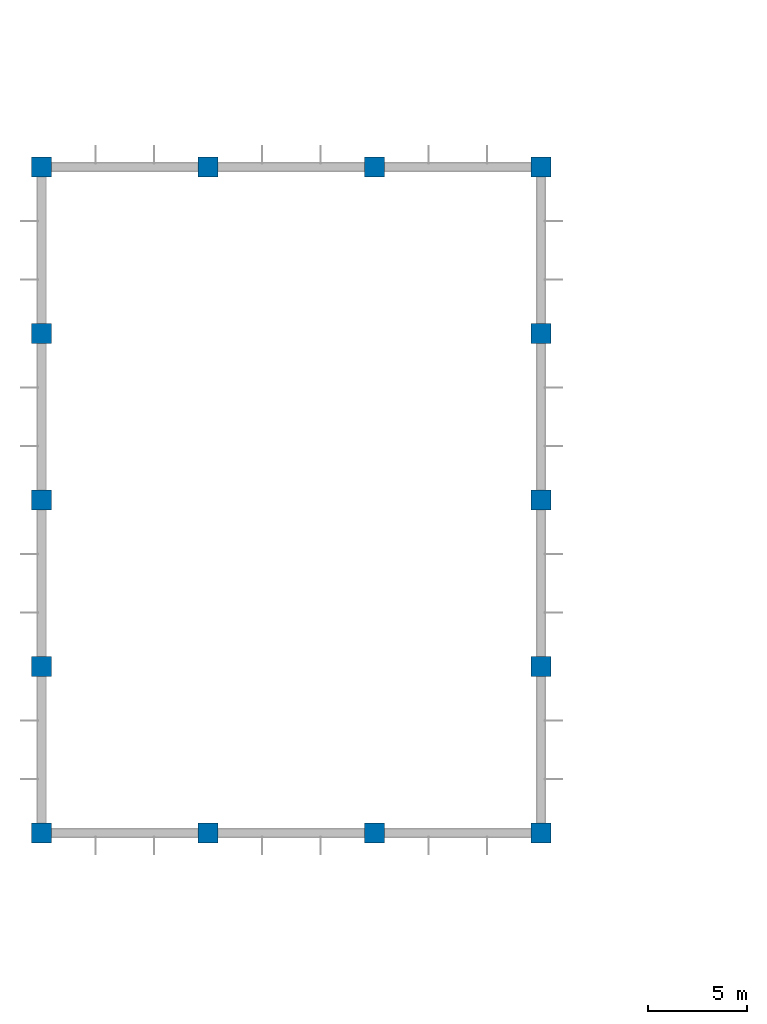
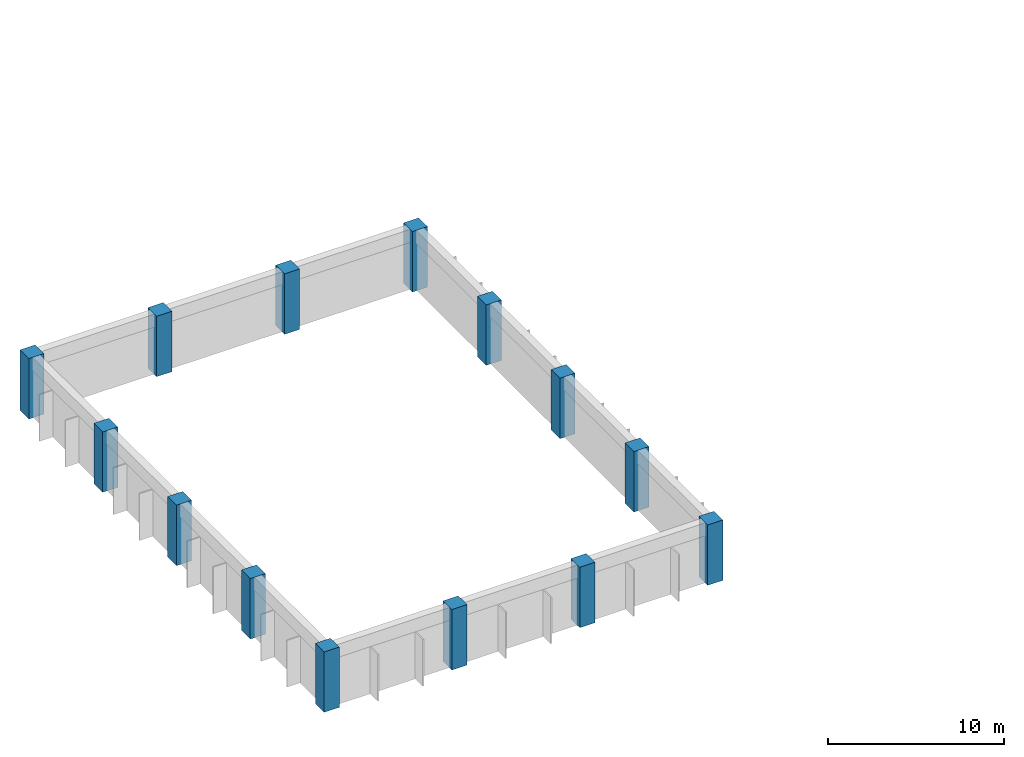
# One storey, part 1 of 18: 14 columns.
"""IFC4 building model written with IfcOpenShell, lengths in metres."""

import ifcopenshell
import ifcopenshell.guid

model = None  # the IFC model being written
_history = None  # IfcOwnerHistory: only IFC2X3 demands one
_inside = {}  # id of a spatial element -> (the spatial element, [elements in it])
_under = {}  # id of a project, library or spatial element -> (it, [spatial elements below it])
_declared = {}  # id of a project -> (the project, [libraries it declares])
_typed = {}  # id of a type object -> (the type object, [elements of that type])
_made_of = {}  # id of a material, layer set ... -> (it, [elements and type objects made of it])


def new_model(schema):
    """Start an empty IFC model of exactly this schema.

    Asked for "IFC4X3", IfcOpenShell would pick the latest addendum, in which some entities
    have other attributes; the version numbers below select the first issue.
    IFC2X3 requires an IfcOwnerHistory on every rooted entity: one is made here for all.
    """
    global model, _history
    if schema == "IFC4X3":
        model = ifcopenshell.file(schema_version=(4, 3, 0, 0))
    else:
        model = ifcopenshell.file(schema=schema)
    _inside.clear()
    _under.clear()
    _declared.clear()
    _typed.clear()
    _made_of.clear()
    _history = None
    if model.schema == "IFC2X3":
        org = make("IfcOrganization", Name="unknown")
        user = make(
            "IfcPersonAndOrganization",
            ThePerson=make("IfcPerson", FamilyName="unknown"),
            TheOrganization=org,
        )
        app = make(
            "IfcApplication",
            ApplicationDeveloper=org,
            Version="unknown",
            ApplicationFullName="unknown",
            ApplicationIdentifier="unknown",
        )
        _history = make(
            "IfcOwnerHistory",
            OwningUser=user,
            OwningApplication=app,
            ChangeAction="ADDED",
            CreationDate=0,
        )
    return model


def make(cls, **values):
    """One entity of the class cls with the attributes given. An attribute that is None is left unset."""
    return model.create_entity(
        cls, **{name: value for name, value in values.items() if value is not None}
    )


def rooted(cls, **values):
    """An entity with a GlobalId (a new one), such as an element, a storey or a relation."""
    return make(cls, GlobalId=ifcopenshell.guid.new(), OwnerHistory=_history, **values)


def si_unit(unit_type, name, prefix=None):
    """IfcSIUnit, for example si_unit("LENGTHUNIT", "METRE", prefix="MILLI")."""
    return make("IfcSIUnit", UnitType=unit_type, Prefix=prefix, Name=name)


def assignment(units):
    """IfcUnitAssignment: the units of a project."""
    return None if units is None else make("IfcUnitAssignment", Units=units)


def point(xyz):
    """IfcCartesianPoint."""
    return None if xyz is None else make("IfcCartesianPoint", Coordinates=xyz)


def direction(xyz):
    """IfcDirection."""
    return None if xyz is None else make("IfcDirection", DirectionRatios=xyz)


def frame(location, z_axis=None, x_axis=None):
    """IfcAxis2Placement3D, a coordinate frame: its origin and axes. An axis left out is left unset."""
    return make(
        "IfcAxis2Placement3D",
        Location=point(location),
        Axis=direction(z_axis),
        RefDirection=direction(x_axis),
    )


def frame_2d(location, x_axis=None):
    """IfcAxis2Placement2D, a coordinate frame in the plane: its origin and x axis."""
    return make(
        "IfcAxis2Placement2D", Location=point(location), RefDirection=direction(x_axis)
    )


def origin():
    """The frame at (0, 0, 0) with its axes left unset."""
    return frame((0.0, 0.0, 0.0))


def origin_2d():
    """The frame at (0, 0) in the plane with its x axis left unset."""
    return frame_2d((0.0, 0.0))


def place(relative_to, where):
    """IfcLocalPlacement: puts the frame where relative to a parent placement (None: the world)."""
    return make(
        "IfcLocalPlacement", PlacementRelTo=relative_to, RelativePlacement=where
    )


def context(
    kind, dimensions, precision=None, world=None, true_north=None, identifier=None
):
    """IfcGeometricRepresentationContext, for example the 3D "Model" context."""
    return make(
        "IfcGeometricRepresentationContext",
        ContextIdentifier=identifier,
        ContextType=kind,
        CoordinateSpaceDimension=dimensions,
        Precision=precision,
        WorldCoordinateSystem=world,
        TrueNorth=true_north,
    )


def subcontext(parent, identifier, kind, view, scale=None):
    """IfcGeometricRepresentationSubContext, for example "Body" below "Model"."""
    return make(
        "IfcGeometricRepresentationSubContext",
        ContextIdentifier=identifier,
        ContextType=kind,
        ParentContext=parent,
        TargetScale=scale,
        TargetView=view,
    )


def project(units=None, contexts=None):
    """IfcProject with its units and contexts."""
    return rooted(
        "IfcProject",
        Name="project",
        RepresentationContexts=contexts,
        UnitsInContext=assignment(units),
    )


def spatial(cls, under=None, at=None, **own):
    """A site, building, storey or space (cls), placed at a placement, below another one or the project."""
    s = rooted(cls, ObjectPlacement=at, **own)
    if under is not None:
        _under.setdefault(under.id(), (under, []))[1].append(s)
    return s


def profile(cls, at=None, kind="AREA", **sizes):
    """A parametric profile (cls). Its sizes go by their IFC names, for example OverallWidth=200.0."""
    return make(cls, ProfileType=kind, Position=at, **sizes)


def rectangle(**sizes):
    """IfcRectangleProfileDef."""
    return profile("IfcRectangleProfileDef", **sizes)


def extrude(swept, where, along, depth):
    """IfcExtrudedAreaSolid: the profile swept, set in the frame where, extruded along a direction by depth."""
    return make(
        "IfcExtrudedAreaSolid",
        SweptArea=swept,
        Position=where,
        ExtrudedDirection=direction(along),
        Depth=depth,
    )


def shape(context_of_items, identifier, shape_type, items):
    """IfcShapeRepresentation: the items that make up one representation, for example the "Body"."""
    return make(
        "IfcShapeRepresentation",
        ContextOfItems=context_of_items,
        RepresentationIdentifier=identifier,
        RepresentationType=shape_type,
        Items=items,
    )


def material(Name=None, Category=None):
    """IfcMaterial."""
    return make("IfcMaterial", Name=Name, Category=Category)


def material_profile(
    of_material, cross_section, Name=None, Category=None, Priority=None
):
    """IfcMaterialProfile: a cross section and its material."""
    return make(
        "IfcMaterialProfile",
        Name=Name,
        Material=of_material,
        Profile=cross_section,
        Priority=Priority,
        Category=Category,
    )


def profile_set(profiles, Name=None, composite=None):
    """IfcMaterialProfileSet."""
    return make(
        "IfcMaterialProfileSet",
        Name=Name,
        MaterialProfiles=profiles,
        CompositeProfile=composite,
    )


def made_of(thing, what):
    """Note that an element or type object is made of a material, layer set ...; save() writes the relation."""
    if what is not None:
        _made_of.setdefault(what.id(), (what, []))[1].append(thing)
    return thing


def type_object(cls, material=None, **own):
    """A type object (cls), such as IfcWallType, which elements share."""
    return made_of(rooted(cls, **own), material)


def element(
    cls,
    number,
    at=None,
    inside=None,
    cuts=None,
    type_object=None,
    material=None,
    context=None,
    identifier="Body",
    shape_type=None,
    held_by="IfcProductDefinitionShape",
    body=None,
    shapes=None,
    **own,
):
    """One element of the class cls, such as IfcWall. Its Tag is "e" and its number.

    at: its placement. inside: the storey or other place that contains it. cuts: it is an
    opening in that element (IfcRelVoidsElement). A single representation is given by context,
    identifier, shape_type and body (its items); several are given by shapes. held_by: the class
    of the entity that holds the representations. save() writes the other relations.
    """
    e = rooted(cls, Tag="e%d" % number, ObjectPlacement=at, **own)
    if body is not None:
        shapes = [shape(context, identifier, shape_type, body)]
    if shapes is not None:
        e.Representation = make(held_by, Representations=shapes)
    if inside is not None:
        _inside.setdefault(inside.id(), (inside, []))[1].append(e)
    if cuts is not None:
        rooted(
            "IfcRelVoidsElement", RelatingBuildingElement=cuts, RelatedOpeningElement=e
        )
    if type_object is not None:
        _typed.setdefault(type_object.id(), (type_object, []))[1].append(e)
    return made_of(e, material)


def aggregate(whole, parts):
    """IfcRelAggregates: a whole, such as a stair, and the parts it consists of."""
    return rooted("IfcRelAggregates", RelatingObject=whole, RelatedObjects=parts)


def save(model, path):
    """Write the relations noted so far, then the file.

    IfcRelAggregates (storeys below a building ...), IfcRelContainedInSpatialStructure (elements
    in a storey), IfcRelDefinesByType, IfcRelAssociatesMaterial and IfcRelDeclares: one each for
    every whole, place, type object, material and project.
    """
    for whole, parts in _under.values():
        aggregate(whole, parts)
    for where, things in _inside.values():
        rooted(
            "IfcRelContainedInSpatialStructure",
            RelatedElements=things,
            RelatingStructure=where,
        )
    for kind, things in _typed.values():
        rooted("IfcRelDefinesByType", RelatedObjects=things, RelatingType=kind)
    for what, things in _made_of.values():
        rooted("IfcRelAssociatesMaterial", RelatedObjects=things, RelatingMaterial=what)
    for by, libraries in _declared.values():
        rooted("IfcRelDeclares", RelatingContext=by, RelatedDefinitions=libraries)
    model.write(path)


model = new_model("IFC4")

# Units and contexts
model_context = context("Model", 3, precision=1e-05, world=origin(), true_north=direction((0.0, 1.0)))
body_context = subcontext(model_context, "Body", "Model", "MODEL_VIEW")
ifc_project = project(units=[si_unit("LENGTHUNIT", "METRE"), si_unit("AREAUNIT", "SQUARE_METRE"), si_unit("VOLUMEUNIT", "CUBIC_METRE"), si_unit("PLANEANGLEUNIT", "RADIAN"), si_unit("MASSUNIT", "GRAM", prefix="KILO")], contexts=[model_context])

# Site, building, storey
site_placement = place(None, origin())
site = spatial("IfcSite", under=ifc_project, at=site_placement, CompositionType="ELEMENT")
building_placement = place(site_placement, origin())
building = spatial("IfcBuilding", under=site, at=building_placement, Name="Xuanlan Plaza Opera House", CompositionType="ELEMENT")
storey_placement = place(building_placement, frame((0.0, 0.0, 32.10009765625)))
storey = spatial("IfcBuildingStorey", under=building, at=storey_placement, Name="L07", CompositionType="ELEMENT", Elevation=32.10009765625)

# Columns
ifc_material = material(Name="Concrete C50", Category="concrete")
ifc_material_profile = material_profile(ifc_material, rectangle(XDim=1.0, YDim=1.0, at=origin_2d()), Name="RC-COL 1000x1000")
ifc_profile_set = profile_set([ifc_material_profile], Name="Concrete C50")
column_type = type_object("IfcColumnType", Name="STR-COL-C-04", PredefinedType="COLUMN", material=ifc_profile_set)
for number, where, z_axis, x_axis, name in (
    (1, (42.0, 42.0, 0.0), (0.0, 0.0, 1.0), (1.0, 0.0, 0.0), "Fly Tower Column L07 6-F"),
    (2, (42.0, 50.39990234375, 0.0), (0.0, 0.0, 1.0), (1.0, 0.0, 0.0), "Fly Tower Column L07 6-G"),
    (3, (42.0, 58.800048828125, 0.0), (0.0, 0.0, 1.0), (1.0, 0.0, 0.0), "Fly Tower Column L07 6-H"),
    (4, (42.0, 67.199951171875, 0.0), (0.0, 0.0, 1.0), (1.0, 0.0, 0.0), "Fly Tower Column L07 6-I"),
    (5, (42.0, 75.60009765625, 0.0), (0.0, 0.0, 1.0), (1.0, 0.0, 0.0), "Fly Tower Column L07 6-J"),
    (6, (50.39990234375, 42.0, 0.0), (0.0, 0.0, 1.0), (1.0, 0.0, 0.0), "Fly Tower Column L07 7-F"),
    (7, (50.39990234375, 75.60009765625, 0.0), (0.0, 0.0, 1.0), (1.0, 0.0, 0.0), "Fly Tower Column L07 7-J"),
    (8, (58.800048828125, 42.0, 0.0), (0.0, 0.0, 1.0), (1.0, 0.0, 0.0), "Fly Tower Column L07 8-F"),
    (9, (58.800048828125, 75.60009765625, 0.0), (0.0, 0.0, 1.0), (1.0, 0.0, 0.0), "Fly Tower Column L07 8-J"),
    (10, (67.199951171875, 42.0, 0.0), (0.0, 0.0, 1.0), (1.0, 0.0, 0.0), "Fly Tower Column L07 9-F"),
    (11, (67.199951171875, 50.39990234375, 0.0), (0.0, 0.0, 1.0), (1.0, 0.0, 0.0), "Fly Tower Column L07 9-G"),
    (12, (67.199951171875, 58.800048828125, 0.0), (0.0, 0.0, 1.0), (1.0, 0.0, 0.0), "Fly Tower Column L07 9-H"),
    (13, (67.199951171875, 67.199951171875, 0.0), (0.0, 0.0, 1.0), (1.0, 0.0, 0.0), "Fly Tower Column L07 9-I"),
    (14, (67.199951171875, 75.60009765625, 0.0), (0.0, 0.0, 1.0), (1.0, 0.0, 0.0), "Fly Tower Column L07 9-J"),
):
    element("IfcColumn", number, at=place(storey_placement, frame(where, z_axis=z_axis, x_axis=x_axis)), inside=storey, type_object=column_type, Name=name, PredefinedType="COLUMN", context=body_context, shape_type="SweptSolid", body=[
        extrude(rectangle(XDim=1.0, YDim=1.0, at=origin_2d()), origin(), (0.0, 0.0, 1.0), 4.199951171875),
    ])

save(model, "model.ifc")
